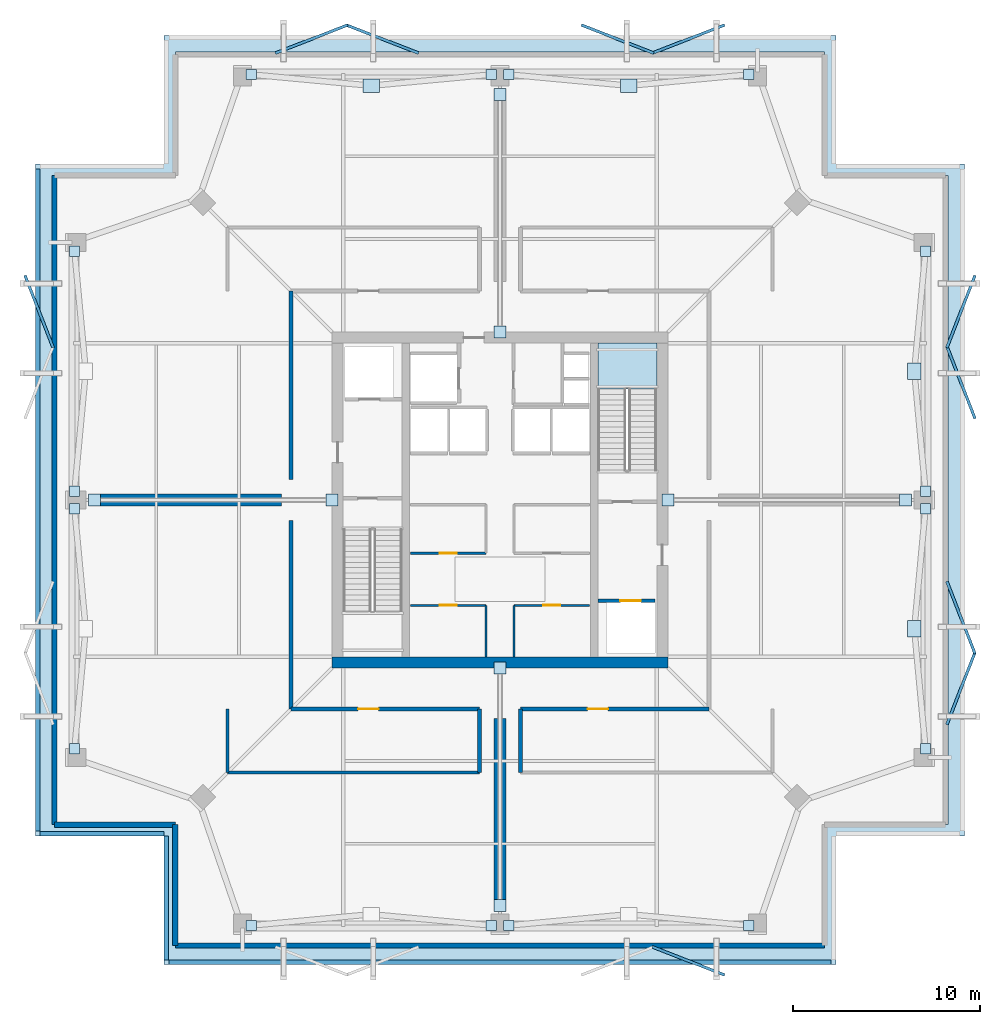
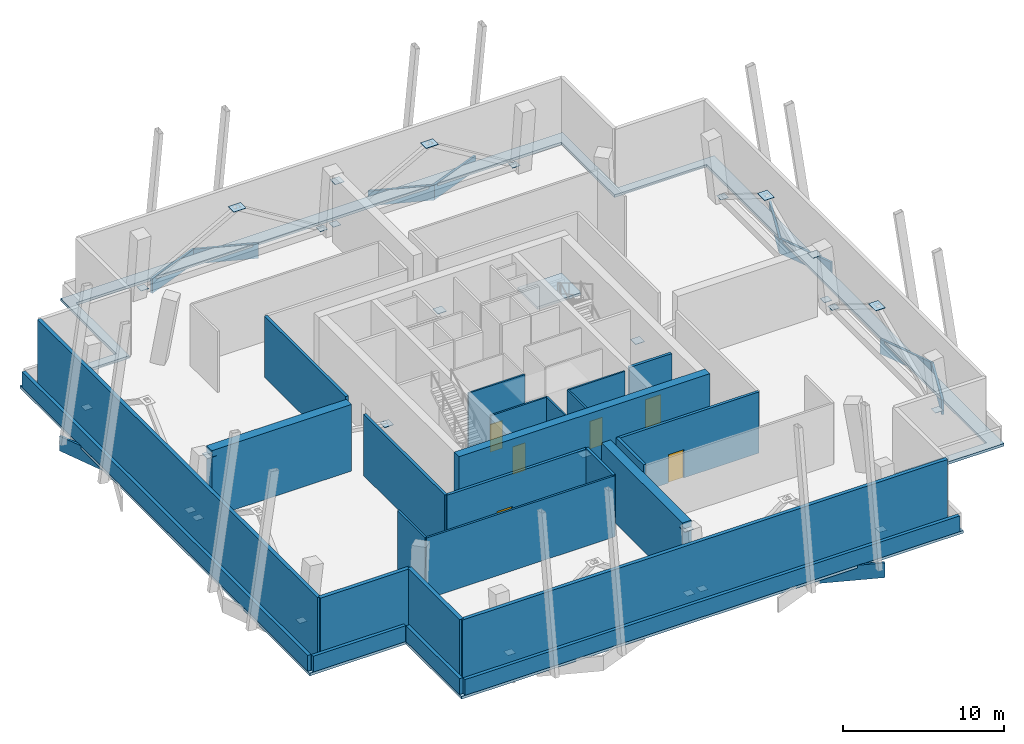
# One storey, part 3 of 6: 38 plates, 25 walls, 6 doors, 2 slabs, 6 openings, 1 element without a shape of its own.
"""IFC4 building model written with IfcOpenShell, lengths in metres."""

from ifc_helpers import new_model, si_unit, direction, frame, frame_2d, origin, origin_2d, place, context, subcontext, project, spatial, polyline, rectangle, outline, extrude, material, layer, layer_set, type_object, element, fill, aggregate, save


model = new_model("IFC4")

# Units and contexts
model_context = context("Model", 3, precision=1e-05, world=origin(), true_north=direction((0.0, 1.0)))
body_context = subcontext(model_context, "Body", "Model", "MODEL_VIEW")
ifc_project = project(units=[si_unit("LENGTHUNIT", "METRE"), si_unit("AREAUNIT", "SQUARE_METRE"), si_unit("VOLUMEUNIT", "CUBIC_METRE"), si_unit("PLANEANGLEUNIT", "RADIAN"), si_unit("MASSUNIT", "GRAM", prefix="KILO")], contexts=[model_context])

# Site, building, storey
site_placement = place(None, origin())
site = spatial("IfcSite", under=ifc_project, at=site_placement, CompositionType="ELEMENT")
building_placement = place(site_placement, origin())
building = spatial("IfcBuilding", under=site, at=building_placement, Name="Belovzor Exchange Tower", CompositionType="ELEMENT")
storey_placement = place(building_placement, frame((0.0, 0.0, 284.10009765625)))
storey = spatial("IfcBuildingStorey", under=building, at=storey_placement, Name="L71", CompositionType="ELEMENT", Elevation=284.10009765625)

# Plates
ifc_material_1 = material(Name="Steel S460", Category="steel")
ifc_layer_1 = layer(ifc_material_1, 0.031982421875)
ifc_layer_set_1 = layer_set([ifc_layer_1], Name="Steel S460")
plate_type_1 = type_object("IfcPlateType", Name="Belt Truss Chord Node Gusset Plate 900x700x32", PredefinedType="SHEET", material=ifc_layer_set_1)
for number, where, z_axis, x_axis, name in (
    (1, (51.0, 21.89990234375, 4.6337890625), (0.0, 0.0, 1.0), (0.0, 1.0, 0.0), "KN-3 Belt Truss Chord Node Gusset Plate 900x700x32"),
    (2, (51.0, 35.699951171875, 4.6337890625), (0.0, 0.0, 1.0), (0.0, 1.0, 0.0), "KN-3 Belt Truss Chord Node Gusset Plate 900x700x32"),
    (3, (35.699951171875, 51.0, 4.6337890625), (0.0, 0.0, 1.0), (1.0, 0.0, 0.0), "KN-3 Belt Truss Chord Node Gusset Plate 900x700x32"),
    (4, (21.89990234375, 51.0, 4.6337890625), (0.0, 0.0, 1.0), (1.0, 0.0, 0.0), "KN-3 Belt Truss Chord Node Gusset Plate 900x700x32"),
):
    element("IfcPlate", number, at=place(storey_placement, frame(where, z_axis=z_axis, x_axis=x_axis)), inside=storey, type_object=plate_type_1, Name=name, PredefinedType="SHEET", context=body_context, shape_type="SweptSolid", body=[
        extrude(rectangle(XDim=0.89990234375, YDim=0.699951171875, at=origin_2d()), origin(), (0.0, 0.0, 1.0), 0.031982421875),
    ])
ifc_material_2 = material(Name="Steel S355", Category="steel")
ifc_layer_2 = layer(ifc_material_2, 0.02490234375)
ifc_layer_set_2 = layer_set([ifc_layer_2], Name="Steel S355")
plate_type_2 = type_object("IfcPlateType", Name="Belt Truss Hollow End Cap Plate 550x550x25", PredefinedType="USERDEFINED", material=ifc_layer_set_2)
for number, where, z_axis, x_axis, name in (
    (5, (15.47509765625, 6.0, 0.4375), (0.0, 0.0, 1.0), (1.0, 0.0, 0.0), "CP-3 Belt Truss Hollow End Cap Plate 550x550x25"),
    (6, (28.324951171875, 6.0, 0.4375), (0.0, 0.0, 1.0), (1.0, 0.0, 0.0), "CP-3 Belt Truss Hollow End Cap Plate 550x550x25"),
    (7, (29.27490234375, 6.0, 0.4375), (0.0, 0.0, 1.0), (1.0, 0.0, 0.0), "CP-3 Belt Truss Hollow End Cap Plate 550x550x25"),
    (8, (42.125, 6.0, 0.4375), (0.0, 0.0, 1.0), (1.0, 0.0, 0.0), "CP-3 Belt Truss Hollow End Cap Plate 550x550x25"),
    (9, (51.60009765625, 15.47509765625, 0.4375), (0.0, 0.0, 1.0), (0.0, 1.0, 0.0), "CP-3 Belt Truss Hollow End Cap Plate 550x550x25"),
    (10, (51.60009765625, 28.324951171875, 0.4375), (0.0, 0.0, 1.0), (0.0, 1.0, 0.0), "CP-3 Belt Truss Hollow End Cap Plate 550x550x25"),
    (11, (51.60009765625, 29.27490234375, 0.4375), (0.0, 0.0, 1.0), (0.0, 1.0, 0.0), "CP-3 Belt Truss Hollow End Cap Plate 550x550x25"),
    (12, (51.60009765625, 42.125, 0.4375), (0.0, 0.0, 1.0), (0.0, 1.0, 0.0), "CP-3 Belt Truss Hollow End Cap Plate 550x550x25"),
    (13, (42.125, 51.60009765625, 0.4375), (0.0, 0.0, 1.0), (1.0, 0.0, 0.0), "CP-3 Belt Truss Hollow End Cap Plate 550x550x25"),
    (14, (29.27490234375, 51.60009765625, 0.4375), (0.0, 0.0, 1.0), (1.0, 0.0, 0.0), "CP-3 Belt Truss Hollow End Cap Plate 550x550x25"),
    (15, (28.324951171875, 51.60009765625, 0.4375), (0.0, 0.0, 1.0), (1.0, 0.0, 0.0), "CP-3 Belt Truss Hollow End Cap Plate 550x550x25"),
    (16, (15.47509765625, 51.60009765625, 0.4375), (0.0, 0.0, 1.0), (1.0, 0.0, 0.0), "CP-3 Belt Truss Hollow End Cap Plate 550x550x25"),
    (17, (6.0, 42.125, 0.4375), (0.0, 0.0, 1.0), (0.0, 1.0, 0.0), "CP-3 Belt Truss Hollow End Cap Plate 550x550x25"),
    (18, (6.0, 29.27490234375, 0.4375), (0.0, 0.0, 1.0), (0.0, 1.0, 0.0), "CP-3 Belt Truss Hollow End Cap Plate 550x550x25"),
    (19, (6.0, 28.324951171875, 0.4375), (0.0, 0.0, 1.0), (0.0, 1.0, 0.0), "CP-3 Belt Truss Hollow End Cap Plate 550x550x25"),
    (20, (6.0, 15.47509765625, 0.4375), (0.0, 0.0, 1.0), (0.0, 1.0, 0.0), "CP-3 Belt Truss Hollow End Cap Plate 550x550x25"),
):
    element("IfcPlate", number, at=place(storey_placement, frame(where, z_axis=z_axis, x_axis=x_axis)), inside=storey, type_object=plate_type_2, Name=name, ObjectType="CAP_PLATE", PredefinedType="USERDEFINED", context=body_context, shape_type="SweptSolid", body=[
        extrude(rectangle(XDim=0.550048828125, YDim=0.550048828125, at=origin_2d()), origin(), (0.0, 0.0, 1.0), 0.02490234375),
    ])
ifc_material_3 = material(Name="Steel S460", Category="steel")
ifc_layer_3 = layer(ifc_material_3, 0.028076171875)
ifc_layer_set_3 = layer_set([ifc_layer_3], Name="Steel S460")
plate_type_3 = type_object("IfcPlateType", Name="Hollow Truss End Cap Plate 650x650x28", PredefinedType="USERDEFINED", material=ifc_layer_set_3)
for number, where, z_axis, x_axis, name in (
    (21, (28.800048828125, 19.800048828125, 2.43603515625), (0.0, 0.0, 1.0), (1.0, 0.0, 0.0), "CP-2 Hollow Truss End Cap Plate 650x650x28"),
    (22, (28.800048828125, 7.074951171875, 4.53564453125), (0.0, 0.0, 1.0), (1.0, 0.0, 0.0), "CP-2 Hollow Truss End Cap Plate 650x650x28"),
    (23, (28.800048828125, 37.800048828125, 2.43603515625), (0.0, 0.0, 1.0), (1.0, 0.0, 0.0), "CP-2 Hollow Truss End Cap Plate 650x650x28"),
    (24, (28.800048828125, 50.52490234375, 4.53564453125), (0.0, 0.0, 1.0), (1.0, 0.0, 0.0), "CP-2 Hollow Truss End Cap Plate 650x650x28"),
    (25, (19.800048828125, 28.800048828125, 2.43603515625), (0.0, 0.0, 1.0), (1.0, 0.0, 0.0), "CP-2 Hollow Truss End Cap Plate 650x650x28"),
    (26, (7.074951171875, 28.800048828125, 4.53564453125), (0.0, 0.0, 1.0), (1.0, 0.0, 0.0), "CP-2 Hollow Truss End Cap Plate 650x650x28"),
    (27, (37.800048828125, 28.800048828125, 2.43603515625), (0.0, 0.0, 1.0), (1.0, 0.0, 0.0), "CP-2 Hollow Truss End Cap Plate 650x650x28"),
    (28, (50.52490234375, 28.800048828125, 4.53564453125), (0.0, 0.0, 1.0), (1.0, 0.0, 0.0), "CP-2 Hollow Truss End Cap Plate 650x650x28"),
):
    element("IfcPlate", number, at=place(storey_placement, frame(where, z_axis=z_axis, x_axis=x_axis)), inside=storey, type_object=plate_type_3, Name=name, ObjectType="CAP_PLATE", PredefinedType="USERDEFINED", context=body_context, shape_type="SweptSolid", body=[
        extrude(rectangle(XDim=0.64990234375, YDim=0.64990234375, at=origin_2d()), origin(), (0.0, 0.0, 1.0), 0.028076171875),
    ])

# Stair, slab
ifc_material_4 = material(Name="Concrete C40/50", Category="concrete")
stair_type = type_object("IfcStairType", Name="Reinforced Concrete Dogleg Escape Stair 1350", PredefinedType="HALF_TURN_STAIR", material=ifc_material_4)
stair_placement = place(storey_placement, origin())
stair = element("IfcStair", 29, at=stair_placement, inside=storey, type_object=stair_type, Name="L71 ST-2", PredefinedType="HALF_TURN_STAIR")
ifc_material_5 = material(Name="Concrete C40/50", Category="concrete")
ifc_layer_4 = layer(ifc_material_5, 0.199951171875)
ifc_layer_set_4 = layer_set([ifc_layer_4], Name="Concrete C40/50")
slab_type_1 = type_object("IfcSlabType", Name="Reinforced Concrete Stair Half-Landing Slab 200", PredefinedType="LANDING", material=ifc_layer_set_4)
slab_1_placement = place(storey_placement, frame((0.0, 0.0, 2.5)))
slab_1 = element("IfcSlab", 30, at=slab_1_placement, type_object=slab_type_1, Name="ST-2 landing 1", PredefinedType="LANDING", context=body_context, shape_type="SweptSolid", body=[
    extrude(outline(polyline([(37.199951171875, 34.75), (37.199951171875, 37.199951171875), (34.050048828125, 37.199951171875), (34.050048828125, 34.75), (37.199951171875, 34.75)])), origin(), (0.0, 0.0, 1.0), 0.199951171875),
])
aggregate(stair, [slab_1])

# Slab
ifc_material_6 = material(Name="Concrete C40/50", Category="concrete")
ifc_layer_5 = layer(ifc_material_6, 0.199951171875)
ifc_layer_set_5 = layer_set([ifc_layer_5], Name="Concrete C40/50")
slab_type_2 = type_object("IfcSlabType", Name="Setback Weathering Roof Ring Slab 200", PredefinedType="ROOF", material=ifc_layer_set_5)
slab_2_placement = place(storey_placement, frame((0.0, 0.0, -0.2001953125)))
element("IfcSlab", 31, at=slab_2_placement, inside=storey, type_object=slab_type_2, Name="SL-RF200A Setback Weathering Roof Ring L70", PredefinedType="ROOF", context=body_context, shape_type="SweptSolid", body=[
    extrude(outline(polyline([(10.800048828125, 3.89990234375), (46.800048828125, 3.89990234375), (46.800048828125, 10.800048828125), (53.699951171875, 10.800048828125), (53.699951171875, 46.800048828125), (46.800048828125, 46.800048828125), (46.800048828125, 53.699951171875), (10.800048828125, 53.699951171875), (10.800048828125, 46.800048828125), (3.89990234375, 46.800048828125), (3.89990234375, 10.800048828125), (10.800048828125, 10.800048828125), (10.800048828125, 3.89990234375)]), holes=[polyline([(11.39990234375, 4.800048828125), (46.199951171875, 4.800048828125), (46.199951171875, 11.39990234375), (52.800048828125, 11.39990234375), (52.800048828125, 46.199951171875), (46.199951171875, 46.199951171875), (46.199951171875, 52.800048828125), (11.39990234375, 52.800048828125), (11.39990234375, 46.199951171875), (4.800048828125, 46.199951171875), (4.800048828125, 11.39990234375), (11.39990234375, 11.39990234375), (11.39990234375, 4.800048828125)])]), origin(), (0.0, 0.0, 1.0), 0.2001953125),
])

# Plates
ifc_material_7 = material(Name="Extruded Architectural Terracotta", Category="masonry")
ifc_layer_6 = layer(ifc_material_7, 0.14990234375)
ifc_layer_set_6 = layer_set([ifc_layer_6], Name="Extruded Architectural Terracotta")
plate_type_4 = type_object("IfcPlateType", Name="Upper-Crown Deep Folded Zigzag Terracotta Spandrel Louvre 150", PredefinedType="USERDEFINED", material=ifc_layer_set_6)
for number, where, z_axis, x_axis, name in (
    (32, (18.699951171875, 53.5, -1.105224609375), (0.0, 0.0, 1.0), (0.931817969421, 0.362925986758, 0.0), "LVR-ZZ3 Zigzag Terracotta Spandrel Louvre L71 N1A"),
    (33, (22.5, 53.5, -1.105224609375), (0.0, 0.0, 1.0), (0.931817969421, -0.362925986758, 0.0), "LVR-ZZ3 Zigzag Terracotta Spandrel Louvre L71 N1B"),
    (34, (53.5, 18.699951171875, -1.105224609375), (0.0, 0.0, 1.0), (0.362925986758, 0.931817969421, 0.0), "LVR-ZZ3 Zigzag Terracotta Spandrel Louvre L71 E1A"),
    (35, (53.5, 22.5, -1.105224609375), (0.0, 0.0, 1.0), (-0.362925986758, 0.931817969421, 0.0), "LVR-ZZ3 Zigzag Terracotta Spandrel Louvre L71 E1B"),
    (36, (38.89990234375, 4.10009765625, -1.105224609375), (0.0, 0.0, 1.0), (0.931817969421, -0.362925986758, 0.0), "LVR-ZZ3 Zigzag Terracotta Spandrel Louvre L71 S2B"),
    (37, (35.10009765625, 53.5, -1.105224609375), (0.0, 0.0, 1.0), (0.931817969421, -0.362925986758, 0.0), "LVR-ZZ3 Zigzag Terracotta Spandrel Louvre L71 N2A"),
    (38, (38.89990234375, 53.5, -1.105224609375), (0.0, 0.0, 1.0), (0.931817969421, 0.362925986758, 0.0), "LVR-ZZ3 Zigzag Terracotta Spandrel Louvre L71 N2B"),
    (39, (4.10009765625, 38.89990234375, -1.105224609375), (0.0, 0.0, 1.0), (-0.362925986758, 0.931817969421, 0.0), "LVR-ZZ3 Zigzag Terracotta Spandrel Louvre L71 W2B"),
    (40, (53.5, 35.10009765625, -1.105224609375), (0.0, 0.0, 1.0), (-0.362925986758, 0.931817969421, 0.0), "LVR-ZZ3 Zigzag Terracotta Spandrel Louvre L71 E2A"),
    (41, (53.5, 38.89990234375, -1.105224609375), (0.0, 0.0, 1.0), (0.362925986758, 0.931817969421, 0.0), "LVR-ZZ3 Zigzag Terracotta Spandrel Louvre L71 E2B"),
):
    element("IfcPlate", number, at=place(storey_placement, frame(where, z_axis=z_axis, x_axis=x_axis)), inside=storey, type_object=plate_type_4, Name=name, ObjectType="SPANDREL_LOUVRE", PredefinedType="USERDEFINED", context=body_context, shape_type="SweptSolid", body=[
        extrude(rectangle(XDim=4.157958984375, YDim=0.14990234375, at=origin_2d()), origin(), (0.0, 0.0, 1.0), 1.1201171875),
    ])

# Wall, opening, door
ifc_material_8 = material(Name="Fire-Rated Plasterboard on Galvanised Studs", Category="gypsum")
ifc_layer_7 = layer(ifc_material_8, 0.1201171875)
ifc_layer_set_7 = layer_set([ifc_layer_7], Name="Fire-Rated Plasterboard on Galvanised Studs")
wall_type_1 = type_object("IfcWallType", Name="Fire-Rated Double-Stud Partition Wall 120", PredefinedType="PARTITIONING", material=ifc_layer_set_7)
wall_1_placement = place(storey_placement, frame((24.0, 23.14990234375, 0.0), z_axis=(0.0, 0.0, 1.0), x_axis=(1.0, 0.0, 0.0)))
wall_1 = element("IfcWall", 42, at=wall_1_placement, inside=storey, type_object=wall_type_1, Name="W-P120F Partition Wall W-CRL-L71-WN", PredefinedType="PARTITIONING", context=body_context, shape_type="SweptSolid", body=[
    extrude(rectangle(XDim=4.050048828125, YDim=0.1201171875, at=frame_2d((2.02490234375, 0.0))), origin(), (0.0, 0.0, 1.0), 5.0498046875),
])
opening_1_placement = place(wall_1_placement, frame((1.574951171875, 0.0, 0.0)))
opening_1 = element("IfcOpeningElement", 43, at=opening_1_placement, cuts=wall_1, Name="Opening D-FD60-090", PredefinedType="OPENING", context=body_context, shape_type="SweptSolid", body=[
    extrude(rectangle(XDim=0.89990234375, YDim=2.10009765625, at=frame_2d((0.449951171875, 1.050048828125))), frame((0.0, 0.070068359375, 0.0), z_axis=(0.0, -1.0, 0.0), x_axis=(1.0, 0.0, 0.0)), (0.0, 0.0, 1.0), 0.14013671875),
])
ifc_material_9 = material(Name="Acoustic Timber Fire Leaf", Category="wood")
door_type_1 = type_object("IfcDoorType", Name="Core Service & Restroom Fire Door 900x2100", OperationType="NOTDEFINED", PredefinedType="DOOR", material=ifc_material_9)
door_1_placement = place(opening_1_placement, origin())
door_1 = element("IfcDoor", 44, at=door_1_placement, inside=storey, type_object=door_type_1, Name="D-FD60-090 Core Service & Restroom Fire Door 900x2100", OperationType="SINGLE_SWING_LEFT", OverallHeight=2.10009765625, OverallWidth=0.89990234375, PredefinedType="DOOR", context=body_context, shape_type="SweptSolid", body=[
    extrude(rectangle(XDim=0.89990234375, YDim=2.10009765625, at=frame_2d((0.449951171875, 1.050048828125))), frame((0.0, 0.02490234375, 0.0), z_axis=(0.0, -1.0, 0.0), x_axis=(1.0, 0.0, 0.0)), (0.0, 0.0, 1.0), 0.050048828125),
])
fill(opening_1, door_1)

# Wall
wall_2_placement = place(storey_placement, frame((28.050048828125, 20.39990234375, 0.0), z_axis=(0.0, 0.0, 1.0), x_axis=(0.0, 1.0, 0.0)))
element("IfcWall", 45, at=wall_2_placement, inside=storey, type_object=wall_type_1, Name="W-P120F Partition Wall W-CRL-L71-WE", PredefinedType="PARTITIONING", context=body_context, shape_type="SweptSolid", body=[
    extrude(rectangle(XDim=2.75, YDim=0.1201171875, at=frame_2d((1.375, 0.0))), origin(), (0.0, 0.0, 1.0), 5.0498046875),
])

# Wall, opening, door
wall_3_placement = place(storey_placement, frame((29.550048828125, 23.14990234375, 0.0), z_axis=(0.0, 0.0, 1.0), x_axis=(1.0, 0.0, 0.0)))
wall_3 = element("IfcWall", 46, at=wall_3_placement, inside=storey, type_object=wall_type_1, Name="W-P120F Partition Wall W-CRL-L71-EN", PredefinedType="PARTITIONING", context=body_context, shape_type="SweptSolid", body=[
    extrude(rectangle(XDim=4.050048828125, YDim=0.1201171875, at=frame_2d((2.02490234375, 0.0))), origin(), (0.0, 0.0, 1.0), 5.0498046875),
])
opening_2_placement = place(wall_3_placement, frame((1.574951171875, 0.0, 0.0)))
opening_2 = element("IfcOpeningElement", 47, at=opening_2_placement, cuts=wall_3, Name="Opening D-FD60-090", PredefinedType="OPENING", context=body_context, shape_type="SweptSolid", body=[
    extrude(rectangle(XDim=0.89990234375, YDim=2.10009765625, at=frame_2d((0.449951171875, 1.050048828125))), frame((0.0, 0.070068359375, 0.0), z_axis=(0.0, -1.0, 0.0), x_axis=(1.0, 0.0, 0.0)), (0.0, 0.0, 1.0), 0.14013671875),
])
door_2_placement = place(opening_2_placement, origin())
door_2 = element("IfcDoor", 48, at=door_2_placement, inside=storey, type_object=door_type_1, Name="D-FD60-090 Core Service & Restroom Fire Door 900x2100", OperationType="SINGLE_SWING_RIGHT", OverallHeight=2.10009765625, OverallWidth=0.89990234375, PredefinedType="DOOR", context=body_context, shape_type="SweptSolid", body=[
    extrude(rectangle(XDim=0.89990234375, YDim=2.10009765625, at=frame_2d((0.449951171875, 1.050048828125))), frame((0.0, 0.02490234375, 0.0), z_axis=(0.0, -1.0, 0.0), x_axis=(1.0, 0.0, 0.0)), (0.0, 0.0, 1.0), 0.050048828125),
])
fill(opening_2, door_2)

# Wall
wall_4_placement = place(storey_placement, frame((29.550048828125, 20.39990234375, 0.0), z_axis=(0.0, 0.0, 1.0), x_axis=(0.0, 1.0, 0.0)))
element("IfcWall", 49, at=wall_4_placement, inside=storey, type_object=wall_type_1, Name="W-P120F Partition Wall W-CRL-L71-EW", PredefinedType="PARTITIONING", context=body_context, shape_type="SweptSolid", body=[
    extrude(rectangle(XDim=2.75, YDim=0.1201171875, at=frame_2d((1.375, 0.0))), origin(), (0.0, 0.0, 1.0), 5.0498046875),
])

# Wall, opening, door
wall_5_placement = place(storey_placement, frame((24.0, 25.949951171875, 0.0), z_axis=(0.0, 0.0, 1.0), x_axis=(1.0, 0.0, 0.0)))
wall_5 = element("IfcWall", 50, at=wall_5_placement, inside=storey, type_object=wall_type_1, Name="W-P120F Partition Wall W-CRM-L71-WS", PredefinedType="PARTITIONING", context=body_context, shape_type="SweptSolid", body=[
    extrude(rectangle(XDim=4.050048828125, YDim=0.1201171875, at=frame_2d((2.02490234375, 0.0))), origin(), (0.0, 0.0, 1.0), 5.0498046875),
])
opening_3_placement = place(wall_5_placement, frame((1.574951171875, 0.0, 0.0)))
opening_3 = element("IfcOpeningElement", 51, at=opening_3_placement, cuts=wall_5, Name="Opening D-FD60-090", PredefinedType="OPENING", context=body_context, shape_type="SweptSolid", body=[
    extrude(rectangle(XDim=0.89990234375, YDim=2.10009765625, at=frame_2d((0.449951171875, 1.050048828125))), frame((0.0, 0.070068359375, 0.0), z_axis=(0.0, -1.0, 0.0), x_axis=(1.0, 0.0, 0.0)), (0.0, 0.0, 1.0), 0.14013671875),
])
door_3_placement = place(opening_3_placement, origin())
door_3 = element("IfcDoor", 52, at=door_3_placement, inside=storey, type_object=door_type_1, Name="D-FD60-090 Core Service & Restroom Fire Door 900x2100", OperationType="SINGLE_SWING_LEFT", OverallHeight=2.10009765625, OverallWidth=0.89990234375, PredefinedType="DOOR", context=body_context, shape_type="SweptSolid", body=[
    extrude(rectangle(XDim=0.89990234375, YDim=2.10009765625, at=frame_2d((0.449951171875, 1.050048828125))), frame((0.0, 0.02490234375, 0.0), z_axis=(0.0, -1.0, 0.0), x_axis=(1.0, 0.0, 0.0)), (0.0, 0.0, 1.0), 0.050048828125),
])
fill(opening_3, door_3)

# Walls
ifc_material_10 = material(Name="Fire-Rated Gypsum Block and Mineral Wool", Category="gypsum")
ifc_layer_8 = layer(ifc_material_10, 0.14990234375)
ifc_layer_set_8 = layer_set([ifc_layer_8], Name="Fire-Rated Gypsum Block and Mineral Wool")
wall_type_2 = type_object("IfcWallType", Name="Fire-Rated Gypsum Block Corridor Wall 150", PredefinedType="PARTITIONING", material=ifc_layer_set_8)
wall_6_placement = place(storey_placement, frame((14.199951171875, 14.199951171875, 0.0), z_axis=(0.0, 0.0, 1.0), x_axis=(0.0, 1.0, 0.0)))
element("IfcWall", 53, at=wall_6_placement, inside=storey, type_object=wall_type_2, Name="W-P150 Partition Wall W-L71-Q1W", PredefinedType="PARTITIONING", context=body_context, shape_type="SweptSolid", body=[
    extrude(rectangle(XDim=3.400146484375, YDim=0.14990234375, at=frame_2d((1.7001953125, 0.0))), origin(), (0.0, 0.0, 1.0), 4.635009765625),
])
wall_7_placement = place(storey_placement, frame((14.199951171875, 14.199951171875, 0.0), z_axis=(0.0, 0.0, 1.0), x_axis=(1.0, 0.0, 0.0)))
element("IfcWall", 54, at=wall_7_placement, inside=storey, type_object=wall_type_2, Name="W-P150 Partition Wall W-L71-Q1S", PredefinedType="PARTITIONING", context=body_context, shape_type="SweptSolid", body=[
    extrude(rectangle(XDim=13.5, YDim=0.14990234375, at=frame_2d((6.75, 0.0))), origin(), (0.0, 0.0, 1.0), 4.635009765625),
])
ifc_material_11 = material(Name="Precast concrete C40/50", Category="concrete")
ifc_layer_9 = layer(ifc_material_11, 0.280029296875)
ifc_layer_set_9 = layer_set([ifc_layer_9], Name="Precast concrete C40/50")
wall_type_3 = type_object("IfcWallType", Name="Precast Concrete Notched Corner Frame Wall 280", PredefinedType="SOLIDWALL", material=ifc_layer_set_9)
for number, where, z_axis, x_axis, name in (
    (55, (11.39990234375, 4.929931640625, 0.0), (0.0, 0.0, 1.0), (0.0, 1.0, 0.0), "W-CRN280 Precast Concrete Notched Corner Frame Wall 280 L71"),
    (56, (11.39990234375, 11.39990234375, 0.0), (0.0, 0.0, 1.0), (-1.0, 0.0, 0.0), "W-CRN280 Precast Concrete Notched Corner Frame Wall 280 L71"),
):
    element("IfcWall", number, at=place(storey_placement, frame(where, z_axis=z_axis, x_axis=x_axis)), inside=storey, type_object=wall_type_3, Name=name, PredefinedType="SOLIDWALL", context=body_context, shape_type="SweptSolid", body=[
        extrude(rectangle(XDim=6.469970703125, YDim=0.280029296875, at=frame_2d((3.23486328125, 0.0))), origin(), (0.0, 0.0, 1.0), 5.0498046875),
    ])
ifc_material_12 = material(Name="Precast concrete C40/50", Category="concrete")
ifc_layer_10 = layer(ifc_material_12, 0.260009765625)
ifc_layer_set_10 = layer_set([ifc_layer_10], Name="Precast concrete C40/50")
wall_type_4 = type_object("IfcWallType", Name="Precast Concrete Perimeter Loggia Frame Wall 260", PredefinedType="SOLIDWALL", material=ifc_layer_set_10)
for number, where, z_axis, x_axis, name in (
    (57, (46.199951171875, 4.929931640625, 0.0), (0.0, 0.0, 1.0), (-1.0, 0.0, 0.0), "W-EXT260 Precast Concrete Perimeter Loggia Frame Wall 260 L71"),
    (58, (4.929931640625, 11.39990234375, 0.0), (0.0, 0.0, 1.0), (0.0, 1.0, 0.0), "W-EXT260 Precast Concrete Perimeter Loggia Frame Wall 260 L71"),
):
    element("IfcWall", number, at=place(storey_placement, frame(where, z_axis=z_axis, x_axis=x_axis)), inside=storey, type_object=wall_type_4, Name=name, PredefinedType="SOLIDWALL", context=body_context, shape_type="SweptSolid", body=[
        extrude(rectangle(XDim=34.800048828125, YDim=0.260009765625, at=frame_2d((17.39990234375, 0.0))), origin(), (0.0, 0.0, 1.0), 5.0498046875),
    ])
ifc_material_13 = material(Name="Precast concrete C40/50", Category="concrete")
ifc_layer_11 = layer(ifc_material_13, 0.239990234375)
ifc_layer_set_11 = layer_set([ifc_layer_11], Name="Precast concrete C40/50")
wall_type_5 = type_object("IfcWallType", Name="Precast Stone Setback Roof Parapet Wall 240", PredefinedType="PARAPET", material=ifc_layer_set_11)
for number, where, z_axis, x_axis, name in (
    (59, (11.054931640625, 4.02001953125, 0.0), (0.0, 0.0, 1.0), (1.0, 0.0, 0.0), "W-PAR240 Precast Stone Setback Roof Parapet Wall 240 L71"),
    (60, (4.02001953125, 46.544921875, 0.0), (0.0, 0.0, 1.0), (0.0, -1.0, 0.0), "W-PAR240 Precast Stone Setback Roof Parapet Wall 240 L71"),
):
    element("IfcWall", number, at=place(storey_placement, frame(where, z_axis=z_axis, x_axis=x_axis)), inside=storey, type_object=wall_type_5, Name=name, PredefinedType="PARAPET", context=body_context, shape_type="SweptSolid", body=[
        extrude(rectangle(XDim=35.489990234375, YDim=0.239990234375, at=frame_2d((17.7451171875, 0.0))), origin(), (0.0, 0.0, 1.0), 1.199951171875),
    ])
for number, where, z_axis, x_axis, name in (
    (61, (4.155029296875, 10.919921875, 0.0), (0.0, 0.0, 1.0), (1.0, 0.0, 0.0), "W-PAR240 Precast Stone Setback Roof Parapet Wall 240 L71"),
    (62, (10.919921875, 10.784912109375, 0.0), (0.0, 0.0, 1.0), (0.0, -1.0, 0.0), "W-PAR240 Precast Stone Setback Roof Parapet Wall 240 L71"),
):
    element("IfcWall", number, at=place(storey_placement, frame(where, z_axis=z_axis, x_axis=x_axis)), inside=storey, type_object=wall_type_5, Name=name, PredefinedType="PARAPET", context=body_context, shape_type="SweptSolid", body=[
        extrude(rectangle(XDim=6.6298828125, YDim=0.239990234375, at=frame_2d((3.31494140625, 0.0))), origin(), (0.0, 0.0, 1.0), 1.199951171875),
    ])

# Wall, opening, door
ifc_material_14 = material(Name="Concrete C40/50", Category="concrete")
ifc_layer_12 = layer(ifc_material_14, 0.199951171875)
ifc_layer_set_12 = layer_set([ifc_layer_12], Name="Concrete C40/50")
wall_type_6 = type_object("IfcWallType", Name="Reinforced Concrete Compartment Wall 200", PredefinedType="PARTITIONING", material=ifc_layer_set_12)
wall_8_placement = place(storey_placement, frame((17.60009765625, 17.60009765625, 0.0), z_axis=(0.0, 0.0, 1.0), x_axis=(1.0, 0.0, 0.0)))
wall_8 = element("IfcWall", 63, at=wall_8_placement, inside=storey, type_object=wall_type_6, Name="W-C200 Partition Wall W-L71-PCS", PredefinedType="PARTITIONING", context=body_context, shape_type="SweptSolid", body=[
    extrude(rectangle(XDim=10.099853515625, YDim=0.199951171875, at=frame_2d((5.0498046875, 0.0))), origin(), (0.0, 0.0, 1.0), 4.635009765625),
])
opening_4_placement = place(wall_8_placement, frame((3.60009765625, 0.0, 0.0)))
opening_4 = element("IfcOpeningElement", 64, at=opening_4_placement, cuts=wall_8, Name="Opening D-FD90-110", PredefinedType="OPENING", context=body_context, shape_type="SweptSolid", body=[
    extrude(rectangle(XDim=1.10009765625, YDim=2.14990234375, at=frame_2d((0.550048828125, 1.074951171875))), frame((0.0, 0.10986328125, 0.0), z_axis=(0.0, -1.0, 0.0), x_axis=(1.0, 0.0, 0.0)), (0.0, 0.0, 1.0), 0.219970703125),
])
ifc_material_15 = material(Name="Fire-Rated Galvanised Steel Leaf", Category="steel")
door_type_2 = type_object("IfcDoorType", Name="Protected Escape Vestibule Fire Door 1100x2150", OperationType="NOTDEFINED", PredefinedType="DOOR", material=ifc_material_15)
door_4_placement = place(opening_4_placement, origin())
door_4 = element("IfcDoor", 65, at=door_4_placement, inside=storey, type_object=door_type_2, Name="D-FD90-110 Protected Escape Vestibule Fire Door 1100x2150", OperationType="SINGLE_SWING_LEFT", OverallHeight=2.14990234375, OverallWidth=1.10009765625, PredefinedType="DOOR", context=body_context, shape_type="SweptSolid", body=[
    extrude(rectangle(XDim=1.10009765625, YDim=2.14990234375, at=frame_2d((0.550048828125, 1.074951171875))), frame((0.0, 0.02490234375, 0.0), z_axis=(0.0, -1.0, 0.0), x_axis=(1.0, 0.0, 0.0)), (0.0, 0.0, 1.0), 0.050048828125),
])
fill(opening_4, door_4)

wall_9_placement = place(storey_placement, frame((29.89990234375, 17.60009765625, 0.0), z_axis=(0.0, 0.0, 1.0), x_axis=(1.0, 0.0, 0.0)))
wall_9 = element("IfcWall", 66, at=wall_9_placement, inside=storey, type_object=wall_type_6, Name="W-C200 Partition Wall W-L71-PCS2", PredefinedType="PARTITIONING", context=body_context, shape_type="SweptSolid", body=[
    extrude(rectangle(XDim=10.10009765625, YDim=0.199951171875, at=frame_2d((5.050048828125, 0.0))), origin(), (0.0, 0.0, 1.0), 4.635009765625),
])
opening_5_placement = place(wall_9_placement, frame((3.60009765625, 0.0, 0.0)))
opening_5 = element("IfcOpeningElement", 67, at=opening_5_placement, cuts=wall_9, Name="Opening D-FD90-110", PredefinedType="OPENING", context=body_context, shape_type="SweptSolid", body=[
    extrude(rectangle(XDim=1.10009765625, YDim=2.14990234375, at=frame_2d((0.550048828125, 1.074951171875))), frame((0.0, 0.10986328125, 0.0), z_axis=(0.0, -1.0, 0.0), x_axis=(1.0, 0.0, 0.0)), (0.0, 0.0, 1.0), 0.219970703125),
])
door_5_placement = place(opening_5_placement, origin())
door_5 = element("IfcDoor", 68, at=door_5_placement, inside=storey, type_object=door_type_2, Name="D-FD90-110 Protected Escape Vestibule Fire Door 1100x2150", OperationType="SINGLE_SWING_RIGHT", OverallHeight=2.14990234375, OverallWidth=1.10009765625, PredefinedType="DOOR", context=body_context, shape_type="SweptSolid", body=[
    extrude(rectangle(XDim=1.10009765625, YDim=2.14990234375, at=frame_2d((0.550048828125, 1.074951171875))), frame((0.0, 0.02490234375, 0.0), z_axis=(0.0, -1.0, 0.0), x_axis=(1.0, 0.0, 0.0)), (0.0, 0.0, 1.0), 0.050048828125),
])
fill(opening_5, door_5)

# Walls
wall_10_placement = place(storey_placement, frame((17.60009765625, 17.60009765625, 0.0), z_axis=(0.0, 0.0, 1.0), x_axis=(0.0, 1.0, 0.0)))
element("IfcWall", 69, at=wall_10_placement, inside=storey, type_object=wall_type_6, Name="W-C200 Partition Wall W-L71-PCW1", PredefinedType="PARTITIONING", context=body_context, shape_type="SweptSolid", body=[
    extrude(rectangle(XDim=10.099853515625, YDim=0.199951171875, at=frame_2d((5.0498046875, 0.0))), origin(), (0.0, 0.0, 1.0), 4.635009765625),
])
wall_11_placement = place(storey_placement, frame((17.60009765625, 29.89990234375, 0.0), z_axis=(0.0, 0.0, 1.0), x_axis=(0.0, 1.0, 0.0)))
element("IfcWall", 70, at=wall_11_placement, inside=storey, type_object=wall_type_6, Name="W-C200 Partition Wall W-L71-PCW2", PredefinedType="PARTITIONING", context=body_context, shape_type="SweptSolid", body=[
    extrude(rectangle(XDim=10.10009765625, YDim=0.199951171875, at=frame_2d((5.050048828125, 0.0))), origin(), (0.0, 0.0, 1.0), 4.635009765625),
])
for number, where, z_axis, x_axis, name in (
    (71, (27.699951171875, 14.199951171875, 0.0), (0.0, 0.0, 1.0), (0.0, 1.0, 0.0), "W-C200 Partition Wall W-L71-Q1E"),
    (72, (29.89990234375, 14.199951171875, 0.0), (0.0, 0.0, 1.0), (0.0, 1.0, 0.0), "W-C200 Partition Wall W-L71-Q2W"),
):
    element("IfcWall", number, at=place(storey_placement, frame(where, z_axis=z_axis, x_axis=x_axis)), inside=storey, type_object=wall_type_6, Name=name, PredefinedType="PARTITIONING", context=body_context, shape_type="SweptSolid", body=[
        extrude(rectangle(XDim=3.400146484375, YDim=0.199951171875, at=frame_2d((1.7001953125, 0.0))), origin(), (0.0, 0.0, 1.0), 4.6748046875),
    ])

# Wall, opening, door
ifc_material_16 = material(Name="Concrete C50/60", Category="concrete")
ifc_layer_13 = layer(ifc_material_16, 0.199951171875)
ifc_layer_set_13 = layer_set([ifc_layer_13], Name="Concrete C50/60")
wall_type_7 = type_object("IfcWallType", Name="Reinforced Concrete Core Shaft Shear Wall 200", PredefinedType="SHEAR", material=ifc_layer_set_13)
wall_12_placement = place(storey_placement, frame((34.050048828125, 23.39990234375, 0.0), z_axis=(0.0, 0.0, 1.0), x_axis=(1.0, 0.0, 0.0)))
wall_12 = element("IfcWall", 73, at=wall_12_placement, inside=storey, type_object=wall_type_7, Name="W-C200S Core Shaft Wall W-SH-L71-FFL-02", PredefinedType="SHEAR", context=body_context, shape_type="SweptSolid", body=[
    extrude(rectangle(XDim=3.050048828125, YDim=0.199951171875, at=frame_2d((1.52490234375, 0.0))), origin(), (0.0, 0.0, 1.0), 5.0498046875),
])
opening_6_placement = place(wall_12_placement, frame((1.199951171875, 0.0, 0.0)))
opening_6 = element("IfcOpeningElement", 74, at=opening_6_placement, cuts=wall_12, Name="Opening LD-110", PredefinedType="OPENING", context=body_context, shape_type="SweptSolid", body=[
    extrude(rectangle(XDim=1.10009765625, YDim=2.14990234375, at=frame_2d((0.550048828125, 1.074951171875))), frame((0.0, 0.10986328125, 0.0), z_axis=(0.0, -1.0, 0.0), x_axis=(1.0, 0.0, 0.0)), (0.0, 0.0, 1.0), 0.219970703125),
])
ifc_material_17 = material(Name="Stainless Steel Grade 304", Category="steel")
door_type_3 = type_object("IfcDoorType", Name="Automated Stainless Steel Lift Landing Door 1100x2150", OperationType="SLIDING_TO_RIGHT", PredefinedType="DOOR", material=ifc_material_17)
door_6_placement = place(opening_6_placement, origin())
door_6 = element("IfcDoor", 75, at=door_6_placement, inside=storey, type_object=door_type_3, Name="LD-110 Automated Stainless Steel Lift Landing Door 1100x2150", OperationType="SLIDING_TO_RIGHT", OverallHeight=2.14990234375, OverallWidth=1.10009765625, PredefinedType="DOOR", context=body_context, shape_type="SweptSolid", body=[
    extrude(rectangle(XDim=1.10009765625, YDim=2.14990234375, at=frame_2d((0.550048828125, 1.074951171875))), frame((0.0, 0.02490234375, 0.0), z_axis=(0.0, -1.0, 0.0), x_axis=(1.0, 0.0, 0.0)), (0.0, 0.0, 1.0), 0.050048828125),
])
fill(opening_6, door_6)

# Walls
ifc_material_18 = material(Name="Concrete C50/60", Category="concrete")
ifc_layer_14 = layer(ifc_material_18, 0.60009765625)
ifc_layer_set_14 = layer_set([ifc_layer_14], Name="Concrete C50/60")
wall_type_8 = type_object("IfcWallType", Name="Reinforced Concrete Core Shear Wall 600", PredefinedType="SHEAR", material=ifc_layer_set_14)
wall_13_placement = place(storey_placement, frame((19.800048828125, 20.10009765625, 0.0), z_axis=(0.0, 0.0, 1.0), x_axis=(1.0, 0.0, 0.0)))
element("IfcWall", 76, at=wall_13_placement, inside=storey, type_object=wall_type_8, Name="CW-S060 Core Shear Wall L71 S", PredefinedType="SHEAR", context=body_context, shape_type="SweptSolid", body=[
    extrude(rectangle(XDim=18.0, YDim=0.60009765625, at=frame_2d((9.0, 0.0))), origin(), (0.0, 0.0, 1.0), 5.39990234375),
])
ifc_material_19 = material(Name="Concrete C50/60", Category="concrete")
ifc_layer_15 = layer(ifc_material_19, 0.64990234375)
ifc_layer_set_15 = layer_set([ifc_layer_15], Name="Concrete C50/60")
wall_type_9 = type_object("IfcWallType", Name="Reinforced Concrete Outrigger Shear Wall 650", PredefinedType="SHEAR", material=ifc_layer_set_15)
for number, where, z_axis, x_axis, name in (
    (77, (28.800048828125, 17.10009765625, 0.0), (0.0, 0.0, 1.0), (0.0, -1.0, 0.0), "OW-065 Outrigger Shear Wall L71 S"),
    (78, (17.10009765625, 28.800048828125, 0.0), (0.0, 0.0, 1.0), (-1.0, 0.0, 0.0), "OW-065 Outrigger Shear Wall L71 W"),
):
    element("IfcWall", number, at=place(storey_placement, frame(where, z_axis=z_axis, x_axis=x_axis)), inside=storey, type_object=wall_type_9, Name=name, PredefinedType="SHEAR", context=body_context, shape_type="SweptSolid", body=[
        extrude(rectangle(XDim=10.025146484375, YDim=0.64990234375, at=frame_2d((5.0126953125, 0.0))), origin(), (0.0, 0.0, 1.0), 5.0498046875),
    ])

save(model, "model.ifc")
